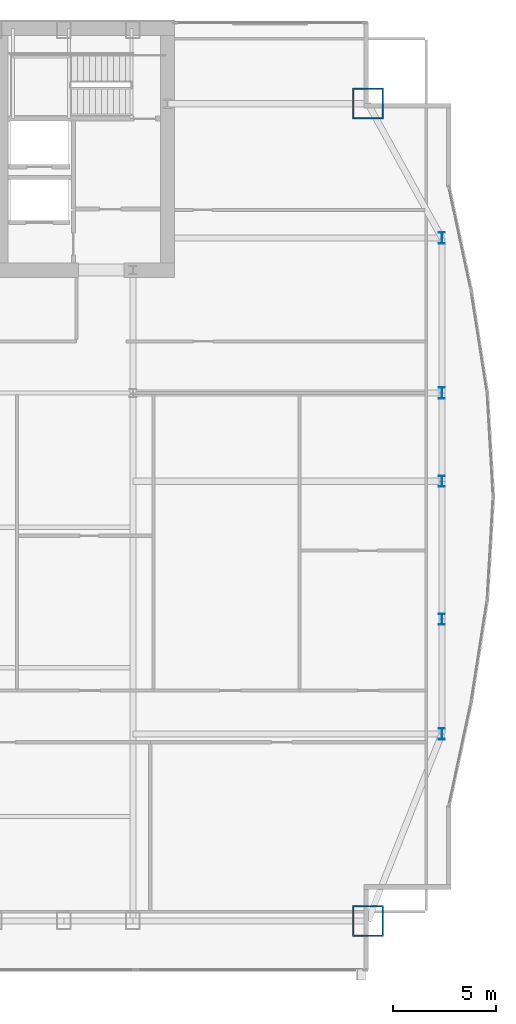
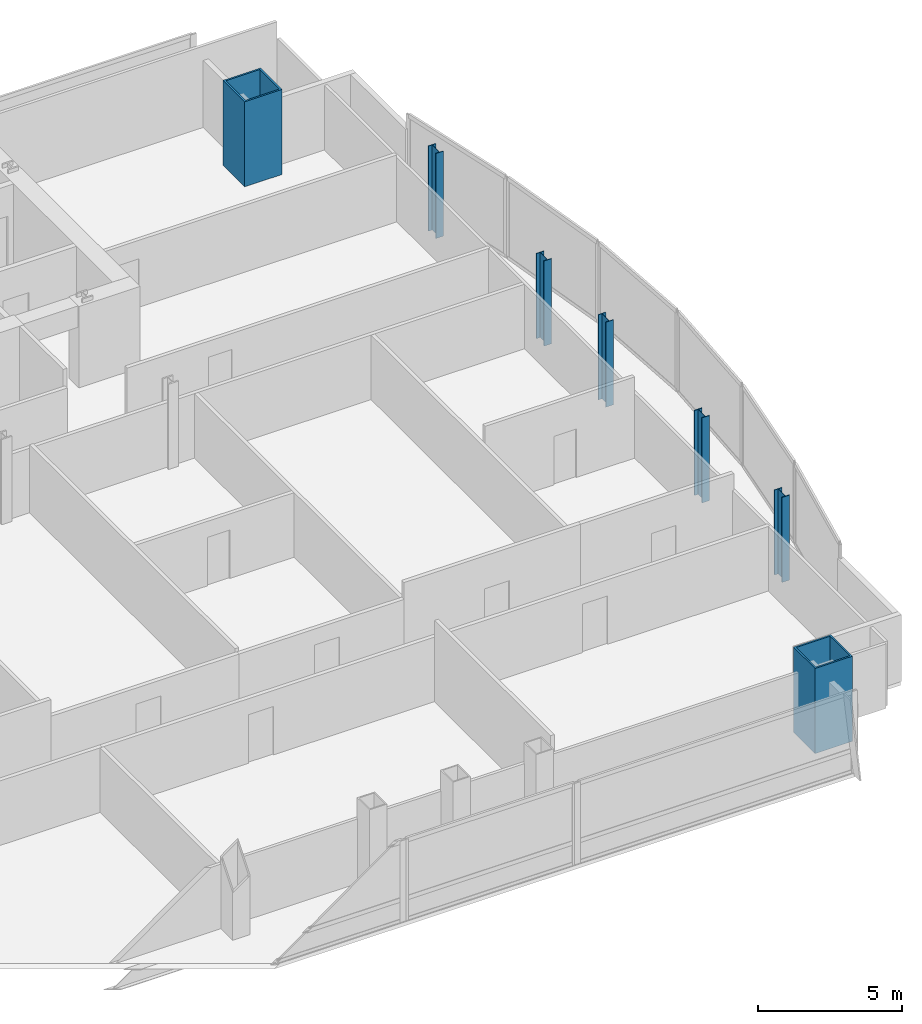
# One storey, part 4 of 32: 7 columns.
"""IFC4 building model written with IfcOpenShell, lengths in metres."""

from ifc_helpers import new_model, si_unit, direction, frame, origin, origin_2d, place, context, subcontext, project, spatial, hollow_rectangle, i_section, extrude, material, material_profile, profile_set, type_object, element, save


model = new_model("IFC4")

# Units and contexts
model_context = context("Model", 3, precision=1e-05, world=origin(), true_north=direction((0.0, 1.0)))
body_context = subcontext(model_context, "Body", "Model", "MODEL_VIEW")
ifc_project = project(units=[si_unit("LENGTHUNIT", "METRE"), si_unit("AREAUNIT", "SQUARE_METRE"), si_unit("VOLUMEUNIT", "CUBIC_METRE"), si_unit("PLANEANGLEUNIT", "RADIAN"), si_unit("MASSUNIT", "GRAM", prefix="KILO")], contexts=[model_context])

# Site, building, storey
site_placement = place(None, origin())
site = spatial("IfcSite", under=ifc_project, at=site_placement, CompositionType="ELEMENT")
building_placement = place(site_placement, origin())
building = spatial("IfcBuilding", under=site, at=building_placement, Name="Khoronbel Lancet Exchange", CompositionType="ELEMENT")
storey_placement = place(building_placement, frame((0.0, 0.0, 111.0)))
storey = spatial("IfcBuildingStorey", under=building, at=storey_placement, Name="L26", CompositionType="ELEMENT", Elevation=111.0)

# Columns
ifc_material_1 = material(Name="Steel S355", Category="steel")
ifc_material_profile_1 = material_profile(ifc_material_1, i_section(OverallWidth=0.300048828125, OverallDepth=0.550048828125, WebThickness=0.014892578125, FlangeThickness=0.029052734375, at=origin_2d()), Name="HEB 550")
ifc_profile_set_1 = profile_set([ifc_material_profile_1], Name="Steel S355")
column_type_1 = type_object("IfcColumnType", Name="COL-LC1", PredefinedType="COLUMN", material=ifc_profile_set_1)
for number, where, z_axis, x_axis, name in (
    (1, (69.6298828125, 19.199951171875, 0.0), (0.0, 0.0, 1.0), (1.0, 0.0, 0.0), "Structural column EC-1 L26"),
    (2, (69.6298828125, 24.75, 0.0), (0.0, 0.0, 1.0), (1.0, 0.0, 0.0), "Structural column EC-2 L26"),
    (3, (69.6298828125, 31.425048828125, 0.0), (0.0, 0.0, 1.0), (1.0, 0.0, 0.0), "Structural column EC-M L26"),
    (4, (69.6298828125, 35.699951171875, 0.0), (0.0, 0.0, 1.0), (1.0, 0.0, 0.0), "Structural column EC-3 L26"),
    (5, (69.6298828125, 43.199951171875, 0.0), (0.0, 0.0, 1.0), (1.0, 0.0, 0.0), "Structural column EC-4 L26"),
):
    element("IfcColumn", number, at=place(storey_placement, frame(where, z_axis=z_axis, x_axis=x_axis)), inside=storey, type_object=column_type_1, Name=name, PredefinedType="COLUMN", context=body_context, shape_type="SweptSolid", body=[
        extrude(i_section(OverallWidth=0.300048828125, OverallDepth=0.550048828125, WebThickness=0.014892578125, FlangeThickness=0.029052734375, at=origin_2d()), origin(), (0.0, 0.0, 1.0), 3.60009765625),
    ])
ifc_material_2 = material(Name="Steel S460", Category="steel")
ifc_material_profile_2 = material_profile(ifc_material_2, hollow_rectangle(XDim=1.5, YDim=1.5, WallThickness=0.070068359375, at=origin_2d()), Name="BOX 1500x1500x70")
ifc_profile_set_2 = profile_set([ifc_material_profile_2], Name="Steel S460")
column_type_2 = type_object("IfcColumnType", Name="COL-MC3", PredefinedType="COLUMN", material=ifc_profile_set_2)
for number, where, z_axis, x_axis, name in (
    (6, (66.050048828125, 10.14990234375, 0.0), (0.0, 0.0, 1.0), (1.0, 0.0, 0.0), "Structural column MC-SE L26"),
    (7, (66.050048828125, 49.699951171875, 0.0), (0.0, 0.0, 1.0), (1.0, 0.0, 0.0), "Structural column MC-NE L26"),
):
    element("IfcColumn", number, at=place(storey_placement, frame(where, z_axis=z_axis, x_axis=x_axis)), inside=storey, type_object=column_type_2, Name=name, PredefinedType="COLUMN", context=body_context, shape_type="SweptSolid", body=[
        extrude(hollow_rectangle(XDim=1.5, YDim=1.5, WallThickness=0.070068359375, at=origin_2d()), origin(), (0.0, 0.0, 1.0), 3.60009765625),
    ])

save(model, "model.ifc")
